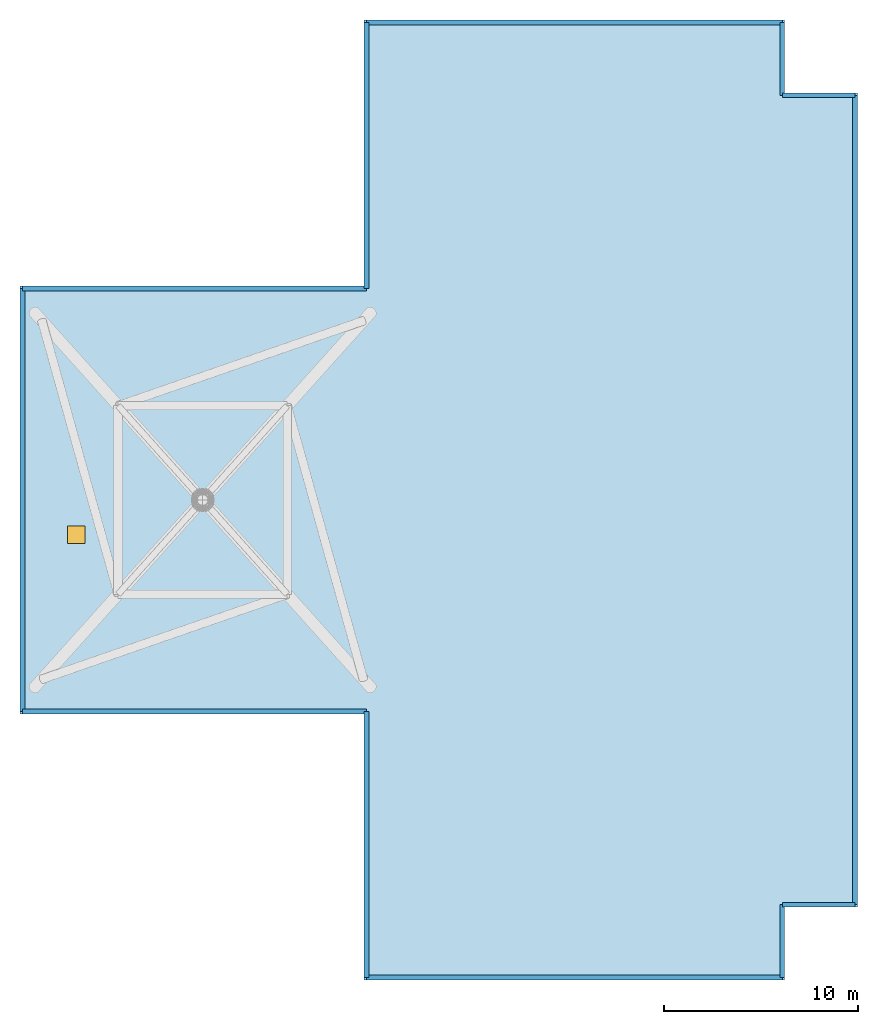
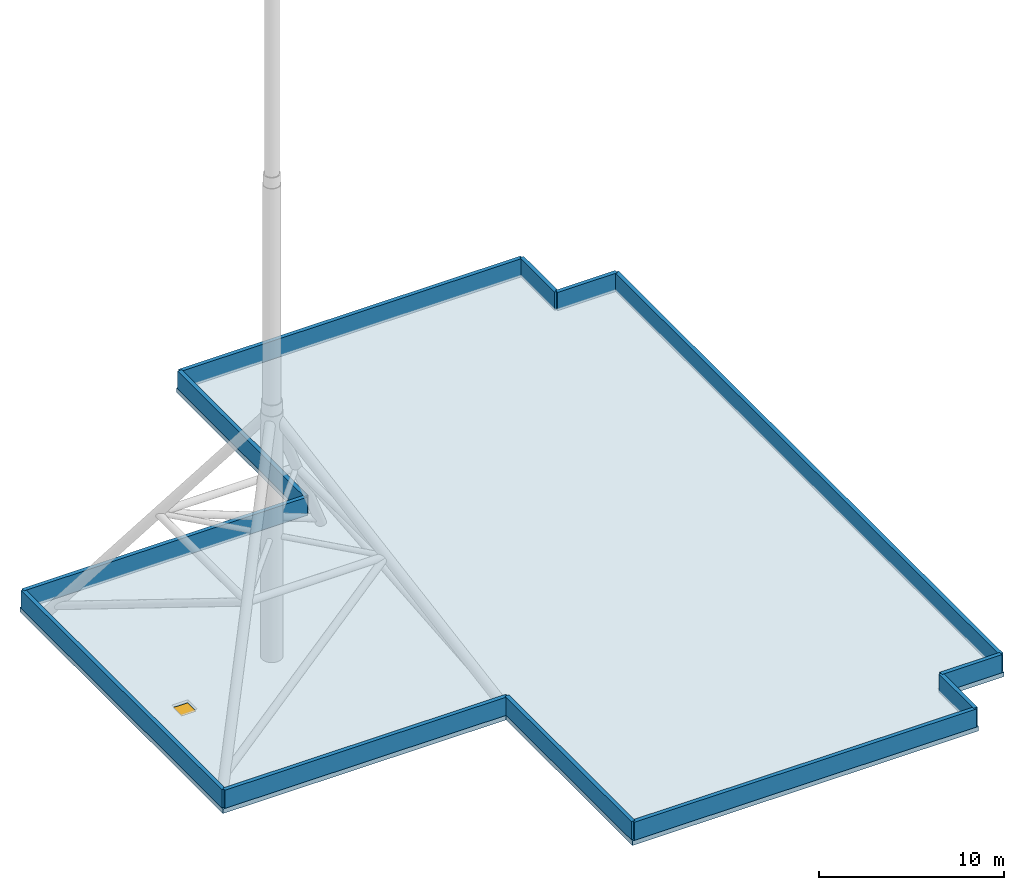
"""IFC4 building model written with IfcOpenShell, lengths in metres."""

from ifc_helpers import new_model, si_unit, direction, frame, frame_2d, origin, origin_2d, place, context, subcontext, project, spatial, polyline, rectangle, outline, extrude, material, layer, layer_set, type_object, element, fill, save


model = new_model("IFC4")

# Units and contexts
model_context = context("Model", 3, precision=1e-05, world=origin(), true_north=direction((0.0, 1.0)))
body_context = subcontext(model_context, "Body", "Model", "MODEL_VIEW")
ifc_project = project(units=[si_unit("LENGTHUNIT", "METRE"), si_unit("AREAUNIT", "SQUARE_METRE"), si_unit("VOLUMEUNIT", "CUBIC_METRE"), si_unit("PLANEANGLEUNIT", "RADIAN"), si_unit("MASSUNIT", "GRAM", prefix="KILO")], contexts=[model_context])

# Site, building, storey
site_placement = place(None, origin())
site = spatial("IfcSite", under=ifc_project, at=site_placement, CompositionType="ELEMENT")
building_placement = place(site_placement, origin())
building = spatial("IfcBuilding", under=site, at=building_placement, Name="Cleftline Residences", CompositionType="ELEMENT")
storey_1_placement = place(building_placement, frame((0.0, 0.0, 301.60009765625)))
storey_1 = spatial("IfcBuildingStorey", under=building, at=storey_1_placement, Name="ROOF", CompositionType="ELEMENT", Elevation=301.60009765625)

# Slab, opening
ifc_material_1 = material(Name="Concrete B45", Category="concrete")
ifc_layer_1 = layer(ifc_material_1, 0.300048828125)
ifc_layer_set_1 = layer_set([ifc_layer_1], Name="ROOF SLAB 300")
slab_type = type_object("IfcSlabType", Name="ROOF SLAB 300", PredefinedType="ROOF", material=ifc_layer_set_1)
slab_placement = place(storey_1_placement, frame((0.0, 0.0, -0.300048828125)))
slab = element("IfcSlab", 1, at=slab_placement, inside=storey_1, type_object=slab_type, Name="Main roof slab", PredefinedType="ROOF", context=body_context, shape_type="SweptSolid", body=[
    extrude(outline(polyline([(41.300048828125, 13.0), (41.300048828125, -0.699951171875), (62.949951171875, -0.699951171875), (62.949951171875, 3.050048828125), (66.699951171875, 3.050048828125), (66.699951171875, 44.949951171875), (62.949951171875, 44.949951171875), (62.949951171875, 48.699951171875), (41.300048828125, 48.699951171875), (41.300048828125, 35.0), (23.60009765625, 35.0), (23.60009765625, 13.0), (41.300048828125, 13.0)])), origin(), (0.0, 0.0, 1.0), 0.300048828125),
])
opening_placement = place(slab_placement, frame((26.5, 22.199951171875, 0.0)))
opening = element("IfcOpeningElement", 2, at=opening_placement, cuts=slab, Name="Opening RH1", PredefinedType="OPENING", context=body_context, shape_type="SweptSolid", body=[
    extrude(rectangle(XDim=0.89990234375, YDim=0.89990234375, at=origin_2d()), origin(), (0.0, 0.0, 1.0), 0.300048828125),
])

# Storey
storey_2_placement = place(building_placement, frame((0.0, 0.0, 296.60009765625)))
storey_2 = spatial("IfcBuildingStorey", under=building, at=storey_2_placement, Name="L77", CompositionType="ELEMENT", Elevation=296.60009765625)

# Window
ifc_material_2 = material(Name="Aluminium hatch", Category="aluminium")
window_type = type_object("IfcWindowType", Name="ROOF HATCH 900X900", PartitioningType="SINGLE_PANEL", PredefinedType="SKYLIGHT", material=ifc_material_2)
window_placement = place(opening_placement, frame((0.0, 0.0, 0.25)))
window = element("IfcWindow", 3, at=window_placement, inside=storey_2, type_object=window_type, Name="ROOF ACCESS HATCH", OverallHeight=0.89990234375, OverallWidth=0.89990234375, PartitioningType="SINGLE_PANEL", PredefinedType="SKYLIGHT", context=body_context, shape_type="SweptSolid", body=[
    extrude(rectangle(XDim=0.89990234375, YDim=0.89990234375, at=origin_2d()), origin(), (0.0, 0.0, 1.0), 0.050048828125),
])

fill(opening, window)

# Walls
ifc_material_3 = material(Name="Rendered reinforced concrete blockwork", Category="masonry")
ifc_layer_2 = layer(ifc_material_3, 0.25)
ifc_layer_set_2 = layer_set([ifc_layer_2], Name="PARAPET WALL 250")
wall_type = type_object("IfcWallType", Name="PARAPET WALL 250", PredefinedType="PARAPET", material=ifc_layer_set_2)
wall_1_placement = place(storey_1_placement, frame((23.72509765625, 13.125, 0.0), z_axis=(0.0, 0.0, 1.0), x_axis=(1.0, 0.0, 0.0)))
element("IfcWall", 4, at=wall_1_placement, inside=storey_1, type_object=wall_type, Name="Roof parapet", PredefinedType="PARAPET", context=body_context, shape_type="SweptSolid", body=[
    extrude(rectangle(XDim=17.699951171875, YDim=0.25, at=frame_2d((8.85009765625, 0.0))), origin(), (0.0, 0.0, 1.0), 1.199951171875),
])
wall_2_placement = place(storey_1_placement, frame((41.425048828125, 13.125, 0.0), z_axis=(0.0, 0.0, 1.0), x_axis=(0.0, -1.0, 0.0)))
element("IfcWall", 5, at=wall_2_placement, inside=storey_1, type_object=wall_type, Name="Roof parapet", PredefinedType="PARAPET", context=body_context, shape_type="SweptSolid", body=[
    extrude(rectangle(XDim=13.699951171875, YDim=0.25, at=frame_2d((6.85009765625, 0.0))), origin(), (0.0, 0.0, 1.0), 1.199951171875),
])
wall_3_placement = place(storey_1_placement, frame((41.425048828125, -0.574951171875, 0.0), z_axis=(0.0, 0.0, 1.0), x_axis=(1.0, 0.0, 0.0)))
element("IfcWall", 6, at=wall_3_placement, inside=storey_1, type_object=wall_type, Name="Roof parapet", PredefinedType="PARAPET", context=body_context, shape_type="SweptSolid", body=[
    extrude(rectangle(XDim=21.39990234375, YDim=0.25, at=frame_2d((10.699951171875, 0.0))), origin(), (0.0, 0.0, 1.0), 1.199951171875),
])
for number, where, z_axis, x_axis, name in (
    (7, (62.824951171875, -0.574951171875, 0.0), (0.0, 0.0, 1.0), (0.0, 1.0, 0.0), "Roof parapet"),
    (8, (62.824951171875, 3.175048828125, 0.0), (0.0, 0.0, 1.0), (1.0, 0.0, 0.0), "Roof parapet"),
):
    element("IfcWall", number, at=place(storey_1_placement, frame(where, z_axis=z_axis, x_axis=x_axis)), inside=storey_1, type_object=wall_type, Name=name, PredefinedType="PARAPET", context=body_context, shape_type="SweptSolid", body=[
        extrude(rectangle(XDim=3.75, YDim=0.25, at=frame_2d((1.875, 0.0))), origin(), (0.0, 0.0, 1.0), 1.199951171875),
    ])
wall_4_placement = place(storey_1_placement, frame((66.574951171875, 3.175048828125, 0.0), z_axis=(0.0, 0.0, 1.0), x_axis=(0.0, 1.0, 0.0)))
element("IfcWall", 9, at=wall_4_placement, inside=storey_1, type_object=wall_type, Name="Roof parapet", PredefinedType="PARAPET", context=body_context, shape_type="SweptSolid", body=[
    extrude(rectangle(XDim=41.64990234375, YDim=0.25, at=frame_2d((20.824951171875, 0.0))), origin(), (0.0, 0.0, 1.0), 1.199951171875),
])
for number, where, z_axis, x_axis, name in (
    (10, (66.574951171875, 44.824951171875, 0.0), (0.0, 0.0, 1.0), (-1.0, 0.0, 0.0), "Roof parapet"),
    (11, (62.824951171875, 44.824951171875, 0.0), (0.0, 0.0, 1.0), (0.0, 1.0, 0.0), "Roof parapet"),
):
    element("IfcWall", number, at=place(storey_1_placement, frame(where, z_axis=z_axis, x_axis=x_axis)), inside=storey_1, type_object=wall_type, Name=name, PredefinedType="PARAPET", context=body_context, shape_type="SweptSolid", body=[
        extrude(rectangle(XDim=3.75, YDim=0.25, at=frame_2d((1.875, 0.0))), origin(), (0.0, 0.0, 1.0), 1.199951171875),
    ])
wall_5_placement = place(storey_1_placement, frame((62.824951171875, 48.574951171875, 0.0), z_axis=(0.0, 0.0, 1.0), x_axis=(-1.0, 0.0, 0.0)))
element("IfcWall", 12, at=wall_5_placement, inside=storey_1, type_object=wall_type, Name="Roof parapet", PredefinedType="PARAPET", context=body_context, shape_type="SweptSolid", body=[
    extrude(rectangle(XDim=21.39990234375, YDim=0.25, at=frame_2d((10.699951171875, 0.0))), origin(), (0.0, 0.0, 1.0), 1.199951171875),
])
wall_6_placement = place(storey_1_placement, frame((41.425048828125, 48.574951171875, 0.0), z_axis=(0.0, 0.0, 1.0), x_axis=(0.0, -1.0, 0.0)))
element("IfcWall", 13, at=wall_6_placement, inside=storey_1, type_object=wall_type, Name="Roof parapet", PredefinedType="PARAPET", context=body_context, shape_type="SweptSolid", body=[
    extrude(rectangle(XDim=13.699951171875, YDim=0.25, at=frame_2d((6.85009765625, 0.0))), origin(), (0.0, 0.0, 1.0), 1.199951171875),
])
wall_7_placement = place(storey_1_placement, frame((41.425048828125, 34.875, 0.0), z_axis=(0.0, 0.0, 1.0), x_axis=(-1.0, 0.0, 0.0)))
element("IfcWall", 14, at=wall_7_placement, inside=storey_1, type_object=wall_type, Name="Roof parapet", PredefinedType="PARAPET", context=body_context, shape_type="SweptSolid", body=[
    extrude(rectangle(XDim=17.699951171875, YDim=0.25, at=frame_2d((8.85009765625, 0.0))), origin(), (0.0, 0.0, 1.0), 1.199951171875),
])
wall_8_placement = place(storey_1_placement, frame((23.72509765625, 34.875, 0.0), z_axis=(0.0, 0.0, 1.0), x_axis=(0.0, -1.0, 0.0)))
element("IfcWall", 15, at=wall_8_placement, inside=storey_1, type_object=wall_type, Name="Roof parapet", PredefinedType="PARAPET", context=body_context, shape_type="SweptSolid", body=[
    extrude(rectangle(XDim=21.75, YDim=0.25, at=frame_2d((10.875, 0.0))), origin(), (0.0, 0.0, 1.0), 1.199951171875),
])

save(model, "model.ifc")
